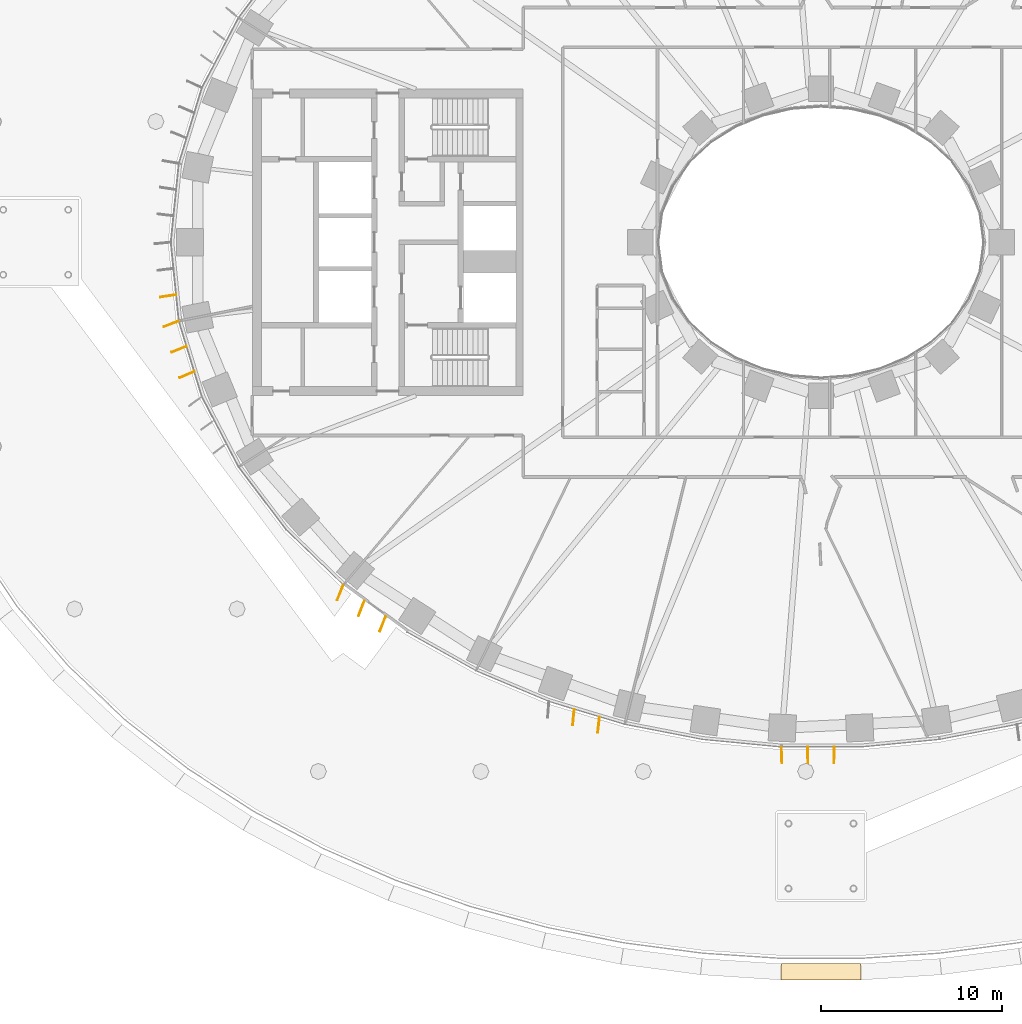
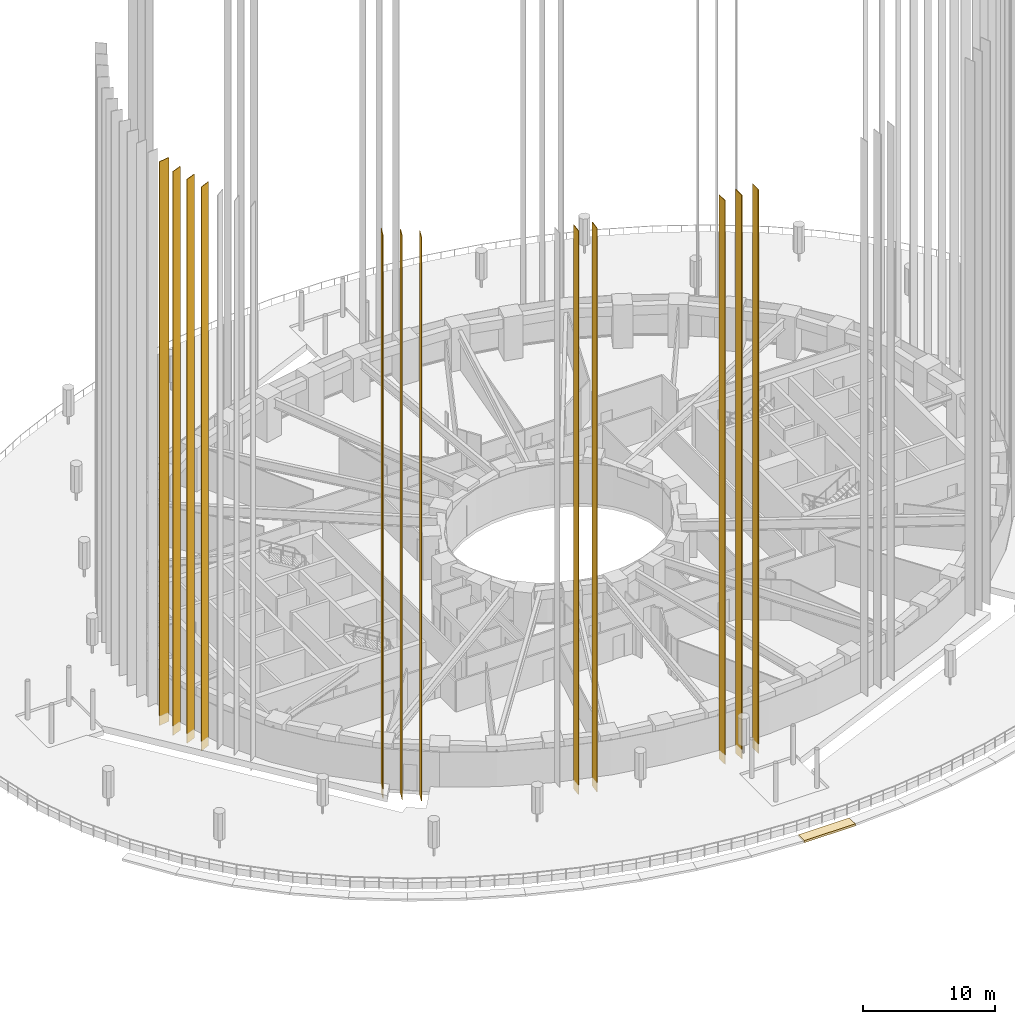
# One storey, part 23 of 30: 13 coverings.
"""IFC4 building model written with IfcOpenShell, lengths in metres."""

from ifc_helpers import new_model, si_unit, direction, frame, origin, origin_2d, place, context, subcontext, project, spatial, polyline, rectangle, outline, extrude, material, material_profile, profile_set, type_object, element, save


model = new_model("IFC4")

# Units and contexts
model_context = context("Model", 3, precision=1e-05, world=origin(), true_north=direction((0.0, 1.0)))
body_context = subcontext(model_context, "Body", "Model", "MODEL_VIEW")
ifc_project = project(units=[si_unit("LENGTHUNIT", "METRE"), si_unit("AREAUNIT", "SQUARE_METRE"), si_unit("VOLUMEUNIT", "CUBIC_METRE"), si_unit("PLANEANGLEUNIT", "RADIAN"), si_unit("MASSUNIT", "GRAM", prefix="KILO")], contexts=[model_context])

# Site, building, storey
site_placement = place(None, origin())
site = spatial("IfcSite", under=ifc_project, at=site_placement, CompositionType="ELEMENT")
building_placement = place(site_placement, origin())
building = spatial("IfcBuilding", under=site, at=building_placement, Name="Noorbagh Ring Tower", CompositionType="ELEMENT")
storey_placement = place(building_placement, frame((0.0, 0.0, 30.5)))
storey = spatial("IfcBuildingStorey", under=building, at=storey_placement, Name="L05", CompositionType="ELEMENT", Elevation=30.5)

# Coverings
ifc_material_1 = material(Name="Aluminium 6063-T6 black anodised", Category="aluminium")
ifc_material_profile = material_profile(ifc_material_1, rectangle(XDim=0.89990234375, YDim=0.050048828125, at=origin_2d()), Name="900x50")
ifc_profile_set = profile_set([ifc_material_profile], Name="Aluminium 6063-T6 black anodised")
covering_type_1 = type_object("IfcCoveringType", Name="ENV-FIN", PredefinedType="CLADDING", material=ifc_profile_set)
for number, where, z_axis, x_axis, name in (
    (1, (-36.154296875, -2.97216796875, -0.284912109375), (0.0, 0.0, 1.0), (-0.989102941421, -0.147225579543, 0.0), "Fin F24 3 L05-L17"),
    (2, (-35.9833984375, -4.520751953125, -0.284912109375), (0.0, 0.0, 1.0), (-0.933362145395, -0.358936074453, 0.0), "Fin F25 1 L05-L17"),
    (3, (-35.553466796875, -5.92724609375, -0.284912109375), (0.0, 0.0, 1.0), (-0.925000661941, -0.379965492392, 0.0), "Fin F25 2 L05-L17"),
    (4, (-35.123291015625, -7.3330078125, -0.284912109375), (0.0, 0.0, 1.0), (-0.916474909008, -0.40009216583, 0.0), "Fin F25 3 L05-L17"),
    (5, (-26.633544921875, -19.406982421875, -0.284912109375), (0.0, 0.0, 1.0), (-0.36956351025, -0.929205473451, 0.0), "Fin F29 1 L05-L17"),
    (6, (-25.455078125, -20.2744140625, -0.284912109375), (0.0, 0.0, 1.0), (-0.366046969104, -0.930596376745, 0.0), "Fin F29 2 L05-L17"),
    (7, (-24.277587890625, -21.1416015625, -0.284912109375), (0.0, 0.0, 1.0), (-0.364533046139, -0.931190452202, 0.0), "Fin F29 3 L05-L17"),
    (8, (-13.708740234375, -26.304931640625, -0.284912109375), (0.0, 0.0, 1.0), (-0.092918421481, -0.995673725148, 0.0), "Fin F32 2 L05-L17"),
    (9, (-12.31591796875, -26.72509765625, -0.284912109375), (0.0, 0.0, 1.0), (-0.109101232004, -0.994030643982, 0.0), "Fin F32 3 L05-L17"),
    (10, (-2.17724609375, -28.399169921875, -0.284912109375), (0.0, 0.0, 1.0), (0.035640795498, -0.999364665023, 0.0), "Fin F35 1 L05-L17"),
    (11, (-0.7255859375, -28.398681640625, -0.284912109375), (0.0, 0.0, 1.0), (0.011915412219, -0.999929008956, 0.0), "Fin F35 2 L05-L17"),
    (12, (0.7255859375, -28.398681640625, -0.284912109375), (0.0, 0.0, 1.0), (-0.011915412219, -0.999929008956, 0.0), "Fin F35 3 L05-L17"),
):
    element("IfcCovering", number, at=place(storey_placement, frame(where, z_axis=z_axis, x_axis=x_axis)), inside=storey, type_object=covering_type_1, Name=name, ObjectType="FIN", PredefinedType="CLADDING", context=body_context, shape_type="SweptSolid", body=[
        extrude(rectangle(XDim=0.89990234375, YDim=0.050048828125, at=origin_2d()), origin(), (0.0, 0.0, 1.0), 51.969970703125),
    ])
ifc_material_2 = material(Name="Red sandstone eave", Category="masonry")
covering_type_2 = type_object("IfcCoveringType", Name="STY-CHHAJJA", PredefinedType="USERDEFINED", material=ifc_material_2)
covering_placement = place(storey_placement, frame((0.0, 0.0, -0.199951171875)))
element("IfcCovering", 13, at=covering_placement, inside=storey, type_object=covering_type_2, Name="Chhajja eave", ObjectType="CHHAJJA", PredefinedType="USERDEFINED", context=body_context, shape_type="SweptSolid", body=[
    extrude(outline(polyline([(-2.198486328125, -39.964111328125), (2.198486328125, -39.964111328125), (2.227783203125, -40.8642578125), (-2.227783203125, -40.8642578125), (-2.198486328125, -39.964111328125)])), origin(), (0.0, 0.0, 1.0), 0.199951171875),
])

save(model, "model.ifc")
